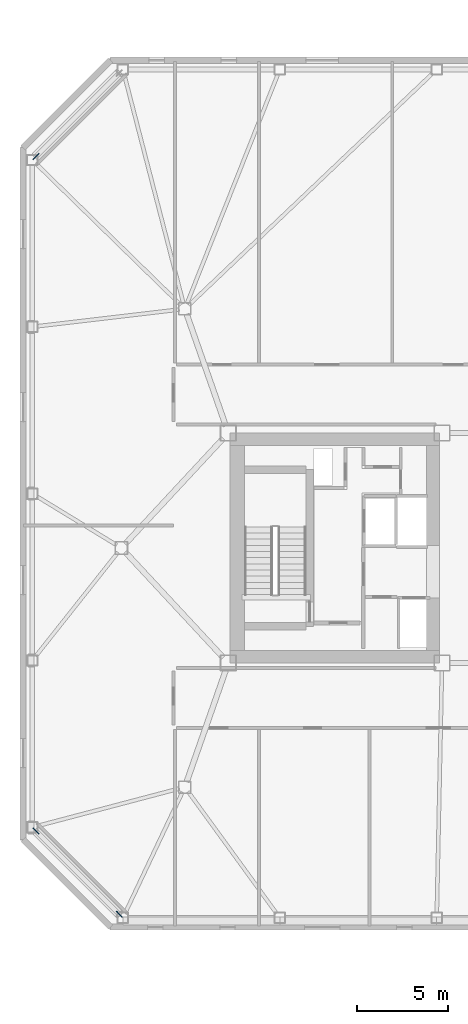
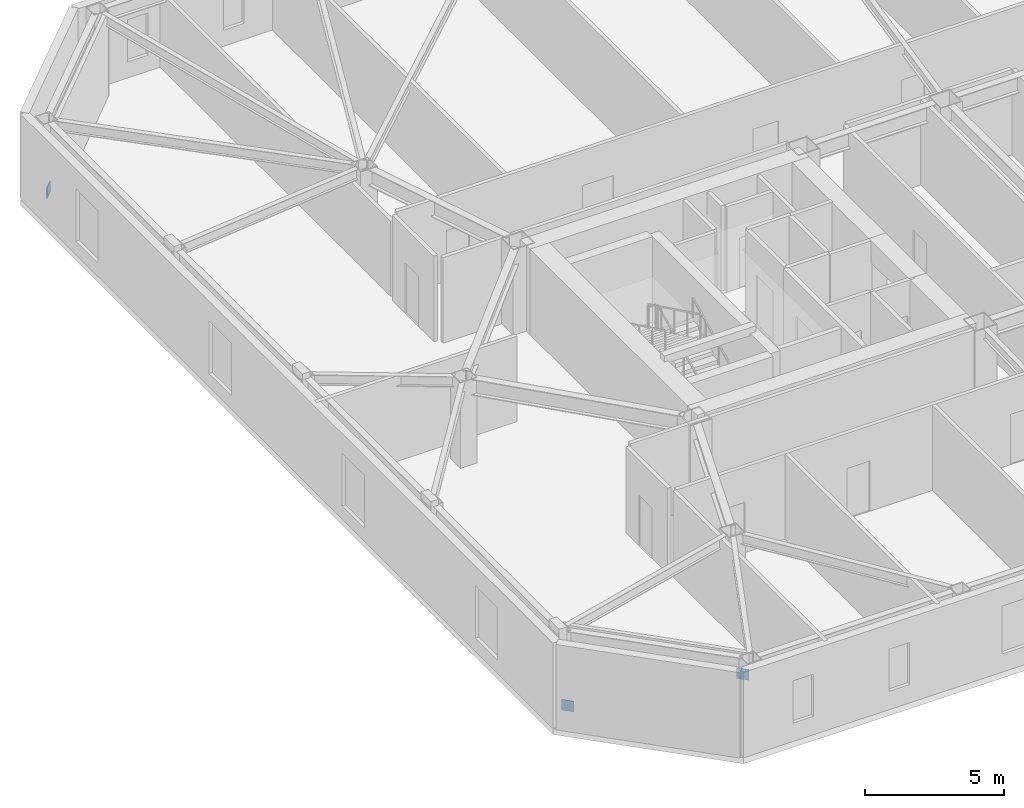
# One storey, part 15 of 19: 3 discrete accessories.
"""IFC4 building model written with IfcOpenShell, lengths in metres."""

import ifcopenshell
import ifcopenshell.guid

model = None  # the IFC model being written
_history = None  # IfcOwnerHistory: only IFC2X3 demands one
_inside = {}  # id of a spatial element -> (the spatial element, [elements in it])
_under = {}  # id of a project, library or spatial element -> (it, [spatial elements below it])
_declared = {}  # id of a project -> (the project, [libraries it declares])
_typed = {}  # id of a type object -> (the type object, [elements of that type])
_made_of = {}  # id of a material, layer set ... -> (it, [elements and type objects made of it])


def new_model(schema):
    """Start an empty IFC model of exactly this schema.

    Asked for "IFC4X3", IfcOpenShell would pick the latest addendum, in which some entities
    have other attributes; the version numbers below select the first issue.
    IFC2X3 requires an IfcOwnerHistory on every rooted entity: one is made here for all.
    """
    global model, _history
    if schema == "IFC4X3":
        model = ifcopenshell.file(schema_version=(4, 3, 0, 0))
    else:
        model = ifcopenshell.file(schema=schema)
    _inside.clear()
    _under.clear()
    _declared.clear()
    _typed.clear()
    _made_of.clear()
    _history = None
    if model.schema == "IFC2X3":
        org = make("IfcOrganization", Name="unknown")
        user = make(
            "IfcPersonAndOrganization",
            ThePerson=make("IfcPerson", FamilyName="unknown"),
            TheOrganization=org,
        )
        app = make(
            "IfcApplication",
            ApplicationDeveloper=org,
            Version="unknown",
            ApplicationFullName="unknown",
            ApplicationIdentifier="unknown",
        )
        _history = make(
            "IfcOwnerHistory",
            OwningUser=user,
            OwningApplication=app,
            ChangeAction="ADDED",
            CreationDate=0,
        )
    return model


def make(cls, **values):
    """One entity of the class cls with the attributes given. An attribute that is None is left unset."""
    return model.create_entity(
        cls, **{name: value for name, value in values.items() if value is not None}
    )


def rooted(cls, **values):
    """An entity with a GlobalId (a new one), such as an element, a storey or a relation."""
    return make(cls, GlobalId=ifcopenshell.guid.new(), OwnerHistory=_history, **values)


def si_unit(unit_type, name, prefix=None):
    """IfcSIUnit, for example si_unit("LENGTHUNIT", "METRE", prefix="MILLI")."""
    return make("IfcSIUnit", UnitType=unit_type, Prefix=prefix, Name=name)


def assignment(units):
    """IfcUnitAssignment: the units of a project."""
    return None if units is None else make("IfcUnitAssignment", Units=units)


def point(xyz):
    """IfcCartesianPoint."""
    return None if xyz is None else make("IfcCartesianPoint", Coordinates=xyz)


def direction(xyz):
    """IfcDirection."""
    return None if xyz is None else make("IfcDirection", DirectionRatios=xyz)


def frame(location, z_axis=None, x_axis=None):
    """IfcAxis2Placement3D, a coordinate frame: its origin and axes. An axis left out is left unset."""
    return make(
        "IfcAxis2Placement3D",
        Location=point(location),
        Axis=direction(z_axis),
        RefDirection=direction(x_axis),
    )


def frame_2d(location, x_axis=None):
    """IfcAxis2Placement2D, a coordinate frame in the plane: its origin and x axis."""
    return make(
        "IfcAxis2Placement2D", Location=point(location), RefDirection=direction(x_axis)
    )


def origin():
    """The frame at (0, 0, 0) with its axes left unset."""
    return frame((0.0, 0.0, 0.0))


def origin_2d():
    """The frame at (0, 0) in the plane with its x axis left unset."""
    return frame_2d((0.0, 0.0))


def place(relative_to, where):
    """IfcLocalPlacement: puts the frame where relative to a parent placement (None: the world)."""
    return make(
        "IfcLocalPlacement", PlacementRelTo=relative_to, RelativePlacement=where
    )


def context(
    kind, dimensions, precision=None, world=None, true_north=None, identifier=None
):
    """IfcGeometricRepresentationContext, for example the 3D "Model" context."""
    return make(
        "IfcGeometricRepresentationContext",
        ContextIdentifier=identifier,
        ContextType=kind,
        CoordinateSpaceDimension=dimensions,
        Precision=precision,
        WorldCoordinateSystem=world,
        TrueNorth=true_north,
    )


def subcontext(parent, identifier, kind, view, scale=None):
    """IfcGeometricRepresentationSubContext, for example "Body" below "Model"."""
    return make(
        "IfcGeometricRepresentationSubContext",
        ContextIdentifier=identifier,
        ContextType=kind,
        ParentContext=parent,
        TargetScale=scale,
        TargetView=view,
    )


def project(units=None, contexts=None):
    """IfcProject with its units and contexts."""
    return rooted(
        "IfcProject",
        Name="project",
        RepresentationContexts=contexts,
        UnitsInContext=assignment(units),
    )


def spatial(cls, under=None, at=None, **own):
    """A site, building, storey or space (cls), placed at a placement, below another one or the project."""
    s = rooted(cls, ObjectPlacement=at, **own)
    if under is not None:
        _under.setdefault(under.id(), (under, []))[1].append(s)
    return s


def profile(cls, at=None, kind="AREA", **sizes):
    """A parametric profile (cls). Its sizes go by their IFC names, for example OverallWidth=200.0."""
    return make(cls, ProfileType=kind, Position=at, **sizes)


def rectangle(**sizes):
    """IfcRectangleProfileDef."""
    return profile("IfcRectangleProfileDef", **sizes)


def extrude(swept, where, along, depth):
    """IfcExtrudedAreaSolid: the profile swept, set in the frame where, extruded along a direction by depth."""
    return make(
        "IfcExtrudedAreaSolid",
        SweptArea=swept,
        Position=where,
        ExtrudedDirection=direction(along),
        Depth=depth,
    )


def shape(context_of_items, identifier, shape_type, items):
    """IfcShapeRepresentation: the items that make up one representation, for example the "Body"."""
    return make(
        "IfcShapeRepresentation",
        ContextOfItems=context_of_items,
        RepresentationIdentifier=identifier,
        RepresentationType=shape_type,
        Items=items,
    )


def material(Name=None, Category=None):
    """IfcMaterial."""
    return make("IfcMaterial", Name=Name, Category=Category)


def made_of(thing, what):
    """Note that an element or type object is made of a material, layer set ...; save() writes the relation."""
    if what is not None:
        _made_of.setdefault(what.id(), (what, []))[1].append(thing)
    return thing


def type_object(cls, material=None, **own):
    """A type object (cls), such as IfcWallType, which elements share."""
    return made_of(rooted(cls, **own), material)


def element(
    cls,
    number,
    at=None,
    inside=None,
    cuts=None,
    type_object=None,
    material=None,
    context=None,
    identifier="Body",
    shape_type=None,
    held_by="IfcProductDefinitionShape",
    body=None,
    shapes=None,
    **own,
):
    """One element of the class cls, such as IfcWall. Its Tag is "e" and its number.

    at: its placement. inside: the storey or other place that contains it. cuts: it is an
    opening in that element (IfcRelVoidsElement). A single representation is given by context,
    identifier, shape_type and body (its items); several are given by shapes. held_by: the class
    of the entity that holds the representations. save() writes the other relations.
    """
    e = rooted(cls, Tag="e%d" % number, ObjectPlacement=at, **own)
    if body is not None:
        shapes = [shape(context, identifier, shape_type, body)]
    if shapes is not None:
        e.Representation = make(held_by, Representations=shapes)
    if inside is not None:
        _inside.setdefault(inside.id(), (inside, []))[1].append(e)
    if cuts is not None:
        rooted(
            "IfcRelVoidsElement", RelatingBuildingElement=cuts, RelatedOpeningElement=e
        )
    if type_object is not None:
        _typed.setdefault(type_object.id(), (type_object, []))[1].append(e)
    return made_of(e, material)


def aggregate(whole, parts):
    """IfcRelAggregates: a whole, such as a stair, and the parts it consists of."""
    return rooted("IfcRelAggregates", RelatingObject=whole, RelatedObjects=parts)


def save(model, path):
    """Write the relations noted so far, then the file.

    IfcRelAggregates (storeys below a building ...), IfcRelContainedInSpatialStructure (elements
    in a storey), IfcRelDefinesByType, IfcRelAssociatesMaterial and IfcRelDeclares: one each for
    every whole, place, type object, material and project.
    """
    for whole, parts in _under.values():
        aggregate(whole, parts)
    for where, things in _inside.values():
        rooted(
            "IfcRelContainedInSpatialStructure",
            RelatedElements=things,
            RelatingStructure=where,
        )
    for kind, things in _typed.values():
        rooted("IfcRelDefinesByType", RelatedObjects=things, RelatingType=kind)
    for what, things in _made_of.values():
        rooted("IfcRelAssociatesMaterial", RelatedObjects=things, RelatingMaterial=what)
    for by, libraries in _declared.values():
        rooted("IfcRelDeclares", RelatingContext=by, RelatedDefinitions=libraries)
    model.write(path)


model = new_model("IFC4")

# Units and contexts
model_context = context("Model", 3, precision=1e-05, world=origin(), true_north=direction((0.0, 1.0)))
body_context = subcontext(model_context, "Body", "Model", "MODEL_VIEW")
ifc_project = project(units=[si_unit("LENGTHUNIT", "METRE"), si_unit("AREAUNIT", "SQUARE_METRE"), si_unit("VOLUMEUNIT", "CUBIC_METRE"), si_unit("PLANEANGLEUNIT", "RADIAN"), si_unit("MASSUNIT", "GRAM", prefix="KILO")], contexts=[model_context])

# Site, building, storey
site_placement = place(None, origin())
site = spatial("IfcSite", under=ifc_project, at=site_placement, CompositionType="ELEMENT")
building_placement = place(site_placement, origin())
building = spatial("IfcBuilding", under=site, at=building_placement, Name="Tavrogorsk Clinical Tower", CompositionType="ELEMENT")
storey_placement = place(building_placement, frame((0.0, 0.0, 188.199951171875)))
storey = spatial("IfcBuildingStorey", under=building, at=storey_placement, Name="L43", CompositionType="ELEMENT", Elevation=188.199951171875)

# Discrete accessories
ifc_material = material(Name="Structural steel S440", Category="steel")
discrete_accessory_type = type_object("IfcDiscreteAccessoryType", Name="GussetPlateBracket_25", PredefinedType="BRACKET", material=ifc_material)
for number, where, z_axis, x_axis, name in (
    (1, (-32.717529296875, 21.62255859375, 0.18310546875), (0.0, 0.0, 1.0), (0.707106781187, 0.707106781187, 0.0), "L43 Brace Gusset Plate EXOCRN-L43-3-A"),
    (2, (-32.717529296875, -15.62255859375, 0.18310546875), (0.0, 0.0, 1.0), (0.707106781187, -0.707106781187, 0.0), "L43 Brace Gusset Plate EXOCRN-L43-4-A"),
    (3, (-28.12255859375, -20.217529296875, 2.7470703125), (0.0, 0.0, 1.0), (0.707106781187, -0.707106781187, 0.0), "L43 Brace Gusset Plate EXOCRN-L43-4-B"),
):
    element("IfcDiscreteAccessory", number, at=place(storey_placement, frame(where, z_axis=z_axis, x_axis=x_axis)), inside=storey, type_object=discrete_accessory_type, Name=name, PredefinedType="BRACKET", context=body_context, shape_type="SweptSolid", body=[
        extrude(rectangle(XDim=0.4599609375, YDim=0.0400390625, at=origin_2d()), origin(), (0.0, 0.0, 1.0), 0.4599609375),
    ])

save(model, "model.ifc")
